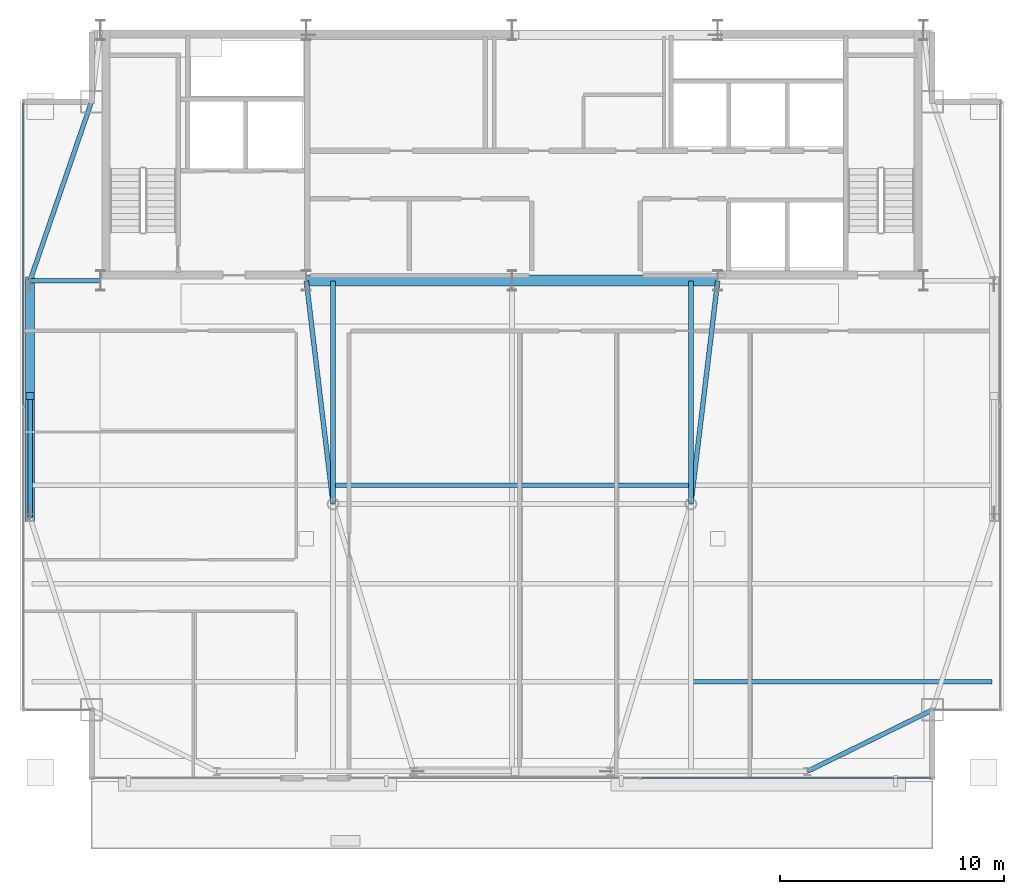
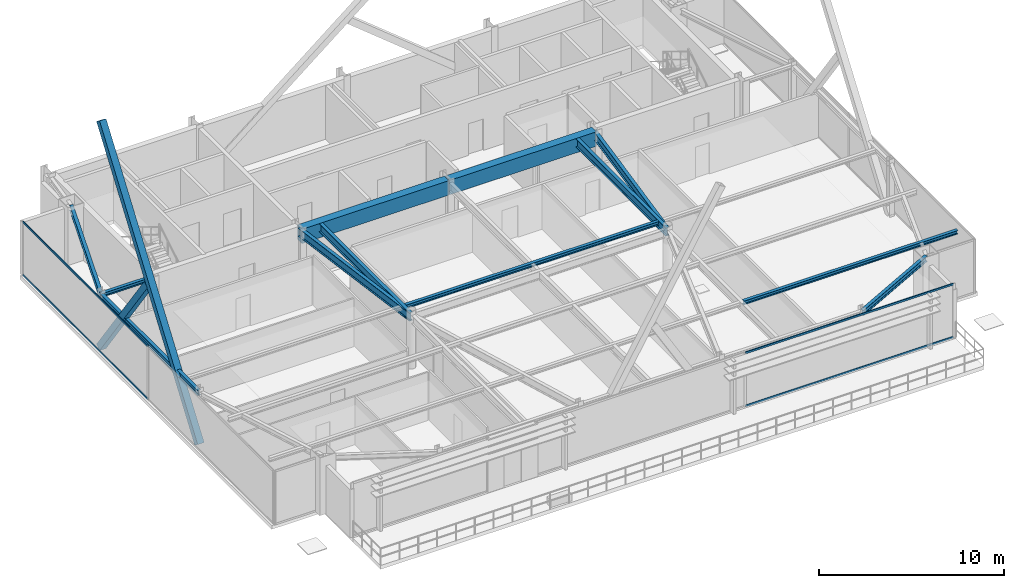
# One storey, part 10 of 25: 12 beams, 6 members, 2 elements without a shape of their own.
"""IFC4 building model written with IfcOpenShell, lengths in metres."""

from ifc_helpers import new_model, si_unit, direction, frame, origin, origin_2d, place, context, subcontext, project, spatial, rectangle, hollow_rectangle, i_section, extrude, source, transform, mapped, material, layer, layer_set, material_profile, profile_set, type_object, type_shapes, element, aggregate, save


model = new_model("IFC4")

# Units and contexts
model_context = context("Model", 3, precision=1e-05, world=origin(), true_north=direction((0.0, 1.0)))
body_context = subcontext(model_context, "Body", "Model", "MODEL_VIEW")
ifc_project = project(units=[si_unit("LENGTHUNIT", "METRE"), si_unit("AREAUNIT", "SQUARE_METRE"), si_unit("VOLUMEUNIT", "CUBIC_METRE"), si_unit("PLANEANGLEUNIT", "RADIAN"), si_unit("MASSUNIT", "GRAM", prefix="KILO")], contexts=[model_context])

# Site, building, storey
site_placement = place(None, origin())
site = spatial("IfcSite", under=ifc_project, at=site_placement, CompositionType="ELEMENT")
building_placement = place(site_placement, origin())
building = spatial("IfcBuilding", under=site, at=building_placement, Name="Varnel Quay Broadcast Tower", CompositionType="ELEMENT")
storey_placement = place(building_placement, frame((0.0, 0.0, 258.39990234375)))
storey = spatial("IfcBuildingStorey", under=building, at=storey_placement, Name="L64", CompositionType="ELEMENT", Elevation=258.39990234375)

# Beams
ifc_material_1 = material(Name="Concrete CSA A23.3 C50/60", Category="concrete")
ifc_material_profile_1 = material_profile(ifc_material_1, rectangle(XDim=0.5, YDim=0.949951171875, at=origin_2d()), Name="RC500X950")
ifc_profile_set_1 = profile_set([ifc_material_profile_1], Name="Concrete CSA A23.3 C50/60")
beam_type_1 = type_object("IfcBeamType", Name="Beam_RC500X950", PredefinedType="BEAM", material=ifc_profile_set_1)
shared_shape_1 = source(origin(), body_context, "Body", "SweptSolid", [
    extrude(rectangle(XDim=0.5, YDim=0.949951171875, at=origin_2d()), origin(), (0.0, 0.0, 1.0), 9.159912109375),
])
type_shapes(beam_type_1, [shared_shape_1])
for number, where, z_axis, x_axis, name in (
    (1, (24.820068359375, 35.60009765625, 3.0751953125), (1.0, 0.0, 0.0), (0.0, 1.0, 0.0), "L64 Core Coupling Beam W"),
    (2, (34.02001953125, 35.60009765625, 3.0751953125), (1.0, 0.0, 0.0), (0.0, 1.0, 0.0), "L64 Core Coupling Beam E"),
):
    element("IfcBeam", number, at=place(storey_placement, frame(where, z_axis=z_axis, x_axis=x_axis)), inside=storey, type_object=beam_type_1, Name=name, PredefinedType="BEAM", context=body_context, shape_type="MappedRepresentation", body=[
        mapped(shared_shape_1, transform((0.0, 0.0, 0.0), x_axis=(1.0, 0.0, 0.0), y_axis=(0.0, 1.0, 0.0), z_axis=(0.0, 0.0, 1.0), scale=1.0)),
    ])
ifc_material_2 = material(Name="Structural Steel CSA G40.21 350W", Category="steel")
ifc_material_profile_2 = material_profile(ifc_material_2, i_section(OverallWidth=0.205078125, OverallDepth=0.35400390625, WebThickness=0.009521484375, FlangeThickness=0.016845703125, FilletRadius=0.012939453125, at=origin_2d()), Name="W360X79")
ifc_profile_set_2 = profile_set([ifc_material_profile_2], Name="Structural Steel CSA G40.21 350W")
beam_type_2 = type_object("IfcBeamType", Name="Beam_W360X79", PredefinedType="SPANDREL", material=ifc_profile_set_2)
shared_shape_2 = source(origin(), body_context, "Body", "SweptSolid", [
    extrude(i_section(OverallWidth=0.205078125, OverallDepth=0.35400390625, WebThickness=0.009521484375, FlangeThickness=0.016845703125, FilletRadius=0.012939453125, at=origin_2d()), origin(), (0.0, 0.0, 1.0), 6.19873046875),
])
beam_1_placement = place(storey_placement, frame((47.218017578125, 13.65869140625, 3.373046875), z_axis=(0.897602447358, 0.440805905697, 0.0), x_axis=(-0.440805905697, 0.897602447358, 0.0)))
element("IfcBeam", 3, at=beam_1_placement, inside=storey, type_object=beam_type_2, Name="L64 South Spandrel TC-S4-MC-SE", PredefinedType="SPANDREL", context=body_context, shape_type="MappedRepresentation", body=[
    mapped(shared_shape_2, transform((0.0, 0.0, 0.0), x_axis=(1.0, 0.0, 0.0), y_axis=(0.0, 1.0, 0.0), z_axis=(0.0, 0.0, 1.0), scale=1.0)),
])
shared_shape_3 = source(origin(), body_context, "Body", "SweptSolid", [
    extrude(i_section(OverallWidth=0.205078125, OverallDepth=0.35400390625, WebThickness=0.009521484375, FlangeThickness=0.016845703125, FilletRadius=0.012939453125, at=origin_2d()), origin(), (0.0, 0.0, 1.0), 10.56005859375),
])
beam_2_placement = place(storey_placement, frame((12.449951171875, 25.02001953125, 3.373046875), z_axis=(0.0, 1.0, 0.0), x_axis=(-1.0, 0.0, 0.0)))
element("IfcBeam", 4, at=beam_2_placement, inside=storey, type_object=beam_type_2, Name="L64 West Spandrel TC-W1-TC-W2", PredefinedType="SPANDREL", context=body_context, shape_type="MappedRepresentation", body=[
    mapped(shared_shape_3, transform((0.0, 0.0, 0.0), x_axis=(1.0, 0.0, 0.0), y_axis=(0.0, 1.0, 0.0), z_axis=(0.0, 0.0, 1.0), scale=1.0)),
])
shared_shape_4 = source(origin(), body_context, "Body", "SweptSolid", [
    extrude(i_section(OverallWidth=0.205078125, OverallDepth=0.35400390625, WebThickness=0.009521484375, FlangeThickness=0.016845703125, FilletRadius=0.012939453125, at=origin_2d()), origin(), (0.0, 0.0, 1.0), 8.41943359375),
])
type_shapes(beam_type_2, [shared_shape_2, shared_shape_3, shared_shape_4])
beam_3_placement = place(storey_placement, frame((12.45654296875, 35.618896484375, 3.373046875), z_axis=(0.325087062108, 0.945684092099, 0.0), x_axis=(-0.945684092099, 0.325087062108, 0.0)))
element("IfcBeam", 5, at=beam_3_placement, inside=storey, type_object=beam_type_2, Name="L64 West Spandrel TC-W2-MC-NW", PredefinedType="SPANDREL", context=body_context, shape_type="MappedRepresentation", body=[
    mapped(shared_shape_4, transform((0.0, 0.0, 0.0), x_axis=(1.0, 0.0, 0.0), y_axis=(0.0, 1.0, 0.0), z_axis=(0.0, 0.0, 1.0), scale=1.0)),
])
ifc_material_profile_3 = material_profile(ifc_material_2, i_section(OverallWidth=0.2119140625, OverallDepth=0.5439453125, WebThickness=0.01318359375, FlangeThickness=0.021240234375, FilletRadius=0.013916015625, at=origin_2d()), Name="W530X123")
ifc_profile_set_3 = profile_set([ifc_material_profile_3], Name="Structural Steel CSA G40.21 350W")
beam_type_3 = type_object("IfcBeamType", Name="Girder_W530X123", PredefinedType="BEAM", material=ifc_profile_set_3)
shared_shape_5 = source(origin(), body_context, "Body", "SweptSolid", [
    extrude(i_section(OverallWidth=0.2119140625, OverallDepth=0.5439453125, WebThickness=0.01318359375, FlangeThickness=0.021240234375, FilletRadius=0.013916015625, at=origin_2d()), origin(), (0.0, 0.0, 1.0), 10.021728515625),
])
for number, where, z_axis, x_axis, name in (
    (6, (25.99755859375, 25.6298828125, 3.278076171875), (-0.119248005741, 0.992864498875, 0.0), (-0.992864498875, -0.119248005741, 0.0), "L64 Primary Girder IC-01-CC-S2"),
    (7, (42.00244140625, 25.6298828125, 3.278076171875), (0.119248005741, 0.992864498875, 0.0), (-0.992864498875, 0.119248005741, 0.0), "L64 Primary Girder IC-02-CC-S4"),
):
    element("IfcBeam", number, at=place(storey_placement, frame(where, z_axis=z_axis, x_axis=x_axis)), inside=storey, type_object=beam_type_3, Name=name, PredefinedType="BEAM", context=body_context, shape_type="MappedRepresentation", body=[
        mapped(shared_shape_5, transform((0.0, 0.0, 0.0), x_axis=(1.0, 0.0, 0.0), y_axis=(0.0, 1.0, 0.0), z_axis=(0.0, 0.0, 1.0), scale=1.0)),
    ])
shared_shape_6 = source(origin(), body_context, "Body", "SweptSolid", [
    extrude(i_section(OverallWidth=0.2119140625, OverallDepth=0.5439453125, WebThickness=0.01318359375, FlangeThickness=0.021240234375, FilletRadius=0.013916015625, at=origin_2d()), origin(), (0.0, 0.0, 1.0), 9.9501953125),
])
type_shapes(beam_type_3, [shared_shape_5, shared_shape_6])
for number, where, z_axis, x_axis, name in (
    (8, (26.0, 25.6298828125, 3.278076171875), (0.0, 1.0, 0.0), (-1.0, 0.0, 0.0), "L64 N-S Joist Header IC-01N"),
    (9, (42.0, 25.6298828125, 3.278076171875), (0.0, 1.0, 0.0), (-1.0, 0.0, 0.0), "L64 N-S Joist Header IC-02N"),
):
    element("IfcBeam", number, at=place(storey_placement, frame(where, z_axis=z_axis, x_axis=x_axis)), inside=storey, type_object=beam_type_3, Name=name, PredefinedType="BEAM", context=body_context, shape_type="MappedRepresentation", body=[
        mapped(shared_shape_6, transform((0.0, 0.0, 0.0), x_axis=(1.0, 0.0, 0.0), y_axis=(0.0, 1.0, 0.0), z_axis=(0.0, 0.0, 1.0), scale=1.0)),
    ])
ifc_material_profile_4 = material_profile(ifc_material_2, i_section(OverallWidth=0.201904296875, OverallDepth=0.2470703125, WebThickness=0.00732421875, FlangeThickness=0.010986328125, FilletRadius=0.010986328125, at=origin_2d()), Name="W250X49")
ifc_profile_set_4 = profile_set([ifc_material_profile_4], Name="Structural Steel CSA G40.21 350W")
beam_type_4 = type_object("IfcBeamType", Name="Beam_W250X49", PredefinedType="JOIST", material=ifc_profile_set_4)
shared_shape_7 = source(origin(), body_context, "Body", "SweptSolid", [
    extrude(i_section(OverallWidth=0.201904296875, OverallDepth=0.2470703125, WebThickness=0.00732421875, FlangeThickness=0.010986328125, FilletRadius=0.010986328125, at=origin_2d()), origin(), (0.0, 0.0, 1.0), 3.110107421875),
])
beam_4_placement = place(storey_placement, frame((12.469970703125, 35.60009765625, 3.426513671875), z_axis=(1.0, 0.0, 0.0), x_axis=(0.0, 1.0, 0.0)))
element("IfcBeam", 10, at=beam_4_placement, inside=storey, type_object=beam_type_4, Name="L64 West Core Tie Joist", PredefinedType="JOIST", context=body_context, shape_type="MappedRepresentation", body=[
    mapped(shared_shape_7, transform((0.0, 0.0, 0.0), x_axis=(1.0, 0.0, 0.0), y_axis=(0.0, 1.0, 0.0), z_axis=(0.0, 0.0, 1.0), scale=1.0)),
])
shared_shape_8 = source(origin(), body_context, "Body", "SweptSolid", [
    extrude(i_section(OverallWidth=0.201904296875, OverallDepth=0.2470703125, WebThickness=0.00732421875, FlangeThickness=0.010986328125, FilletRadius=0.010986328125, at=origin_2d()), origin(), (0.0, 0.0, 1.0), 13.351318359375),
])
beam_5_placement = place(storey_placement, frame((42.10107421875, 17.64990234375, 3.426513671875), z_axis=(1.0, 0.0, 0.0), x_axis=(0.0, 1.0, 0.0)))
element("IfcBeam", 11, at=beam_5_placement, inside=storey, type_object=beam_type_4, Name="L64 East Floor Joist 1", PredefinedType="JOIST", context=body_context, shape_type="MappedRepresentation", body=[
    mapped(shared_shape_8, transform((0.0, 0.0, 0.0), x_axis=(1.0, 0.0, 0.0), y_axis=(0.0, 1.0, 0.0), z_axis=(0.0, 0.0, 1.0), scale=1.0)),
])
shared_shape_9 = source(origin(), body_context, "Body", "SweptSolid", [
    extrude(i_section(OverallWidth=0.201904296875, OverallDepth=0.2470703125, WebThickness=0.00732421875, FlangeThickness=0.010986328125, FilletRadius=0.010986328125, at=origin_2d()), origin(), (0.0, 0.0, 1.0), 15.7978515625),
])
type_shapes(beam_type_4, [shared_shape_7, shared_shape_8, shared_shape_9])
beam_6_placement = place(storey_placement, frame((26.10107421875, 26.449951171875, 3.426513671875), z_axis=(1.0, 0.0, 0.0), x_axis=(0.0, 1.0, 0.0)))
element("IfcBeam", 12, at=beam_6_placement, inside=storey, type_object=beam_type_4, Name="L64 Central Floor Joist 3", PredefinedType="JOIST", context=body_context, shape_type="MappedRepresentation", body=[
    mapped(shared_shape_9, transform((0.0, 0.0, 0.0), x_axis=(1.0, 0.0, 0.0), y_axis=(0.0, 1.0, 0.0), z_axis=(0.0, 0.0, 1.0), scale=1.0)),
])

# Members
ifc_material_profile_5 = material_profile(ifc_material_2, hollow_rectangle(XDim=0.406005859375, YDim=0.406005859375, WallThickness=0.01611328125, at=origin_2d()), Name="HSS406X406X16")
ifc_profile_set_5 = profile_set([ifc_material_profile_5], Name="Structural Steel CSA G40.21 350W")
member_type_1 = type_object("IfcMemberType", Name="Brace_HSS406X406X16", PredefinedType="BRACE", material=ifc_profile_set_5)
shared_shape_10 = source(origin(), body_context, "Body", "SweptSolid", [
    extrude(hollow_rectangle(XDim=0.406005859375, YDim=0.406005859375, WallThickness=0.01611328125, at=origin_2d()), origin(), (0.0, 0.0, 1.0), 18.294189453125),
])
member_1_placement = place(storey_placement, frame((12.449951171875, 25.0, 0.02001953125), z_axis=(0.0, 0.579426482739, 0.815024509509), x_axis=(-1.0, 0.0, 0.0)))
element("IfcMember", 13, at=member_1_placement, inside=storey, type_object=member_type_1, Name="Zone 5 Mega-Brace W-FT1 Continuous Diag A", PredefinedType="BRACE", context=body_context, shape_type="MappedRepresentation", body=[
    mapped(shared_shape_10, transform((0.0, 0.0, 0.0), x_axis=(1.0, 0.0, 0.0), y_axis=(0.0, 1.0, 0.0), z_axis=(0.0, 0.0, 1.0), scale=1.0)),
])
shared_shape_11 = source(origin(), body_context, "Body", "SweptSolid", [
    extrude(hollow_rectangle(XDim=0.406005859375, YDim=0.406005859375, WallThickness=0.01611328125, at=origin_2d()), origin(), (0.0, 0.0, 1.0), 8.9072265625),
])
type_shapes(member_type_1, [shared_shape_10, shared_shape_11])
member_2_placement = place(storey_placement, frame((12.449951171875, 35.60009765625, 0.02001953125), z_axis=(0.0, -0.579434785498, 0.815018606754), x_axis=(1.0, 0.0, 0.0)))
element("IfcMember", 14, at=member_2_placement, inside=storey, type_object=member_type_1, Name="Zone 5 Mega-Brace W-FT1 Split Diag B1", PredefinedType="BRACE", context=body_context, shape_type="MappedRepresentation", body=[
    mapped(shared_shape_11, transform((0.0, 0.0, 0.0), x_axis=(1.0, 0.0, 0.0), y_axis=(0.0, 1.0, 0.0), z_axis=(0.0, 0.0, 1.0), scale=1.0)),
])

# Curtain wall, members
ifc_material_3 = material(Name="Anodised Bronze Aluminium 6063-T6", Category="aluminium")
ifc_layer = layer(ifc_material_3, 0.18994140625, Name="Anodised Bronze Aluminium 6063-T6")
ifc_layer_set = layer_set([ifc_layer], Name="Anodised Bronze Aluminium 6063-T6")
curtain_wall_type = type_object("IfcCurtainWallType", Name="CW_UpperTower", PredefinedType="NOTDEFINED", material=ifc_layer_set)
curtain_wall_1_placement = place(storey_placement, origin())
curtain_wall_1 = element("IfcCurtainWall", 15, at=curtain_wall_1_placement, inside=storey, type_object=curtain_wall_type, Name="L64 South Unitised Curtain Wall 2", PredefinedType="NOTDEFINED")
ifc_material_profile_6 = material_profile(ifc_material_3, hollow_rectangle(XDim=0.06005859375, YDim=0.125, WallThickness=0.0029296875, at=origin_2d()), Name="ALU60X125X3")
ifc_profile_set_6 = profile_set([ifc_material_profile_6], Name="Anodised Bronze Aluminium 6063-T6")
member_type_2 = type_object("IfcMemberType", Name="Tran_CWS-03", PredefinedType="USERDEFINED", material=ifc_profile_set_6)
shared_shape_12 = source(origin(), body_context, "Body", "SweptSolid", [
    extrude(hollow_rectangle(XDim=0.06005859375, YDim=0.125, WallThickness=0.0029296875, at=origin_2d()), origin(), (0.0, 0.0, 1.0), 12.962646484375),
])
member_3_placement = place(storey_placement, frame((39.7724609375, 13.35009765625, 0.030029296875), z_axis=(1.0, 0.0, 0.0), x_axis=(0.0, 1.0, 0.0)))
member_3 = element("IfcMember", 16, at=member_3_placement, type_object=member_type_2, Name="CWS-03 transom 2.1", ObjectType="TRANSOM", PredefinedType="USERDEFINED", context=body_context, shape_type="MappedRepresentation", body=[
    mapped(shared_shape_12, transform((0.0, 0.0, 0.0), x_axis=(1.0, 0.0, 0.0), y_axis=(0.0, 1.0, 0.0), z_axis=(0.0, 0.0, 1.0), scale=1.0)),
])
member_4_placement = place(storey_placement, frame((39.7724609375, 13.35009765625, 3.52001953125), z_axis=(1.0, 0.0, 0.0), x_axis=(0.0, 1.0, 0.0)))
member_4 = element("IfcMember", 17, at=member_4_placement, type_object=member_type_2, Name="CWS-03 transom 2.2", ObjectType="TRANSOM", PredefinedType="USERDEFINED", context=body_context, shape_type="MappedRepresentation", body=[
    mapped(shared_shape_12, transform((0.0, 0.0, 0.0), x_axis=(1.0, 0.0, 0.0), y_axis=(0.0, 1.0, 0.0), z_axis=(0.0, 0.0, 1.0), scale=1.0)),
])
aggregate(curtain_wall_1, [member_3, member_4])

curtain_wall_2_placement = place(storey_placement, origin())
curtain_wall_2 = element("IfcCurtainWall", 18, at=curtain_wall_2_placement, inside=storey, type_object=curtain_wall_type, Name="L64 West Unitised Curtain Wall", PredefinedType="NOTDEFINED")
shared_shape_13 = source(origin(), body_context, "Body", "SweptSolid", [
    extrude(hollow_rectangle(XDim=0.06005859375, YDim=0.125, WallThickness=0.0029296875, at=origin_2d()), origin(), (0.0, 0.0, 1.0), 13.50244140625),
])
type_shapes(member_type_2, [shared_shape_12, shared_shape_13])
member_5_placement = place(storey_placement, frame((12.14990234375, 30.032470703125, 0.030029296875), z_axis=(0.0, 1.0, 0.0), x_axis=(-1.0, 0.0, 0.0)))
member_5 = element("IfcMember", 19, at=member_5_placement, type_object=member_type_2, Name="CWS-03 transom 2.1", ObjectType="TRANSOM", PredefinedType="USERDEFINED", context=body_context, shape_type="MappedRepresentation", body=[
    mapped(shared_shape_13, transform((0.0, 0.0, 0.0), x_axis=(1.0, 0.0, 0.0), y_axis=(0.0, 1.0, 0.0), z_axis=(0.0, 0.0, 1.0), scale=1.0)),
])
member_6_placement = place(storey_placement, frame((12.14990234375, 30.032470703125, 3.52001953125), z_axis=(0.0, 1.0, 0.0), x_axis=(-1.0, 0.0, 0.0)))
member_6 = element("IfcMember", 20, at=member_6_placement, type_object=member_type_2, Name="CWS-03 transom 2.2", ObjectType="TRANSOM", PredefinedType="USERDEFINED", context=body_context, shape_type="MappedRepresentation", body=[
    mapped(shared_shape_13, transform((0.0, 0.0, 0.0), x_axis=(1.0, 0.0, 0.0), y_axis=(0.0, 1.0, 0.0), z_axis=(0.0, 0.0, 1.0), scale=1.0)),
])
aggregate(curtain_wall_2, [member_5, member_6])

save(model, "model.ifc")
